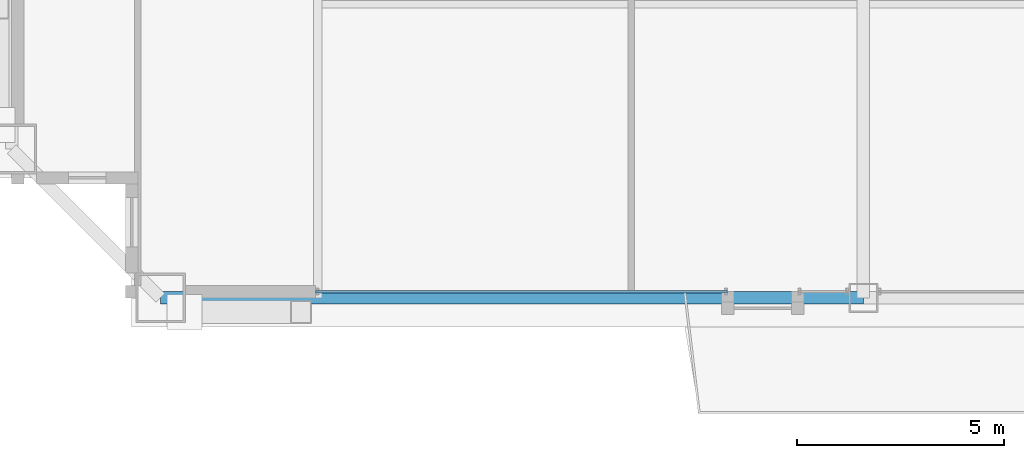
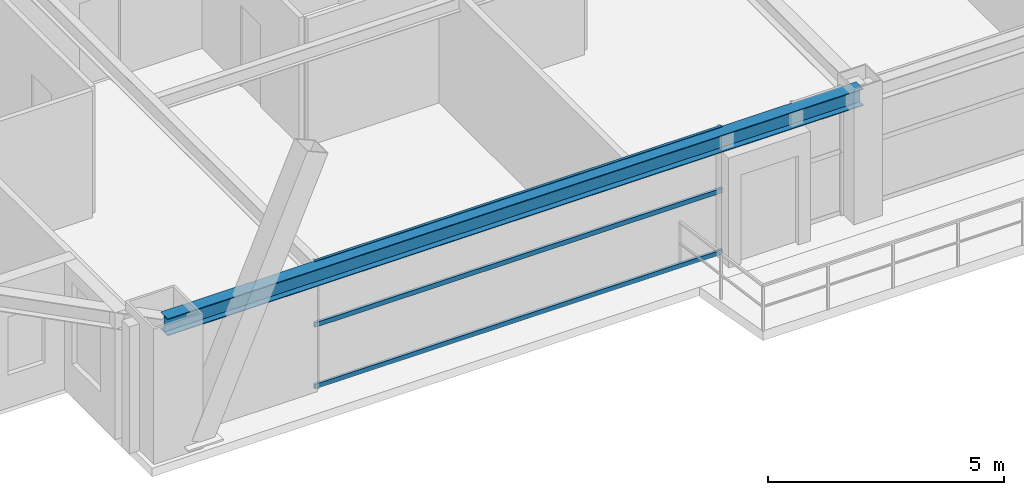
# One storey, part 5 of 35: 3 members, 1 beam, 1 element without a shape of its own.
"""IFC4 building model written with IfcOpenShell, lengths in metres."""

from ifc_helpers import new_model, si_unit, direction, frame, origin, origin_2d, place, context, subcontext, project, spatial, hollow_rectangle, i_section, extrude, source, transform, mapped, material, layer, layer_set, material_profile, profile_set, type_object, element, aggregate, save


model = new_model("IFC4")

# Units and contexts
model_context = context("Model", 3, precision=1e-05, world=origin(), true_north=direction((0.0, 1.0)))
body_context = subcontext(model_context, "Body", "Model", "MODEL_VIEW")
ifc_project = project(units=[si_unit("LENGTHUNIT", "METRE"), si_unit("AREAUNIT", "SQUARE_METRE"), si_unit("VOLUMEUNIT", "CUBIC_METRE"), si_unit("PLANEANGLEUNIT", "RADIAN"), si_unit("MASSUNIT", "GRAM", prefix="KILO"), si_unit("THERMODYNAMICTEMPERATUREUNIT", "KELVIN"), si_unit("POWERUNIT", "WATT")], contexts=[model_context])

# Site, building, storey
site_placement = place(None, origin())
site = spatial("IfcSite", under=ifc_project, at=site_placement, CompositionType="ELEMENT")
building_placement = place(site_placement, origin())
building = spatial("IfcBuilding", under=site, at=building_placement, Name="Yuzanri Waterfront Tower", CompositionType="ELEMENT")
storey_placement = place(building_placement, frame((0.0, 0.0, 271.60009765625)))
storey = spatial("IfcBuildingStorey", under=building, at=storey_placement, Name="L72", CompositionType="ELEMENT", Elevation=271.60009765625)

# Beam
ifc_material_1 = material(Name="Steel Q355B", Category="steel")
ifc_material_profile_1 = material_profile(ifc_material_1, i_section(OverallWidth=0.300048828125, OverallDepth=0.43994140625, WebThickness=0.010986328125, FlangeThickness=0.01806640625, at=origin_2d()), Name="HM 440x300x11x18")
ifc_profile_set_1 = profile_set([ifc_material_profile_1], Name="Steel Q355B")
beam_type = type_object("IfcBeamType", Name="Perimeter Spandrel Q355B HM 440x300", PredefinedType="SPANDREL", material=ifc_profile_set_1)
shared_shape_1 = source(origin(), body_context, "Body", "SweptSolid", [
    extrude(i_section(OverallWidth=0.300048828125, OverallDepth=0.43994140625, WebThickness=0.010986328125, FlangeThickness=0.01806640625, at=origin_2d()), origin(), (0.0, 0.0, 1.0), 17.0),
])
beam_placement = place(storey_placement, frame((20.0, 5.199951171875, 3.059814453125), z_axis=(1.0, 0.0, 0.0), x_axis=(0.0, 1.0, 0.0)))
element("IfcBeam", 1, at=beam_placement, inside=storey, type_object=beam_type, Name="L72 Perimeter Spandrel S1-S2", PredefinedType="SPANDREL", context=body_context, shape_type="MappedRepresentation", body=[
    mapped(shared_shape_1, transform((0.0, 0.0, 0.0), scale=1.0)),
])

# Curtain wall, members
ifc_material_2 = material(Name="Anodized Architectural Bronze", Category="metal")
ifc_layer = layer(ifc_material_2, 0.159912109375)
ifc_layer_set = layer_set([ifc_layer], Name="Anodized Architectural Bronze")
curtain_wall_type = type_object("IfcCurtainWallType", Name="Anodized Bronze Mid-Rise Residential Acoustic Unitized Curtain Wall 7200", PredefinedType="NOTDEFINED", material=ifc_layer_set)
curtain_wall_placement = place(storey_placement, origin())
curtain_wall = element("IfcCurtainWall", 2, at=curtain_wall_placement, inside=storey, type_object=curtain_wall_type, Name="L72 Curtain Wall CW-L72-SL1", PredefinedType="NOTDEFINED")
ifc_material_3 = material(Name="Anodized Architectural Bronze", Category="metal")
ifc_material_profile_2 = material_profile(ifc_material_3, hollow_rectangle(XDim=0.06494140625, YDim=0.1201171875, WallThickness=0.00341796875, at=origin_2d()), Name="CWT 65x120")
ifc_profile_set_2 = profile_set([ifc_material_profile_2], Name="Anodized Architectural Bronze")
member_type = type_object("IfcMemberType", Name="Anodized Bronze Secondary Curtain-Wall Transom 65x120", PredefinedType="USERDEFINED", material=ifc_profile_set_2)
shared_shape_2 = source(origin(), body_context, "Body", "SweptSolid", [
    extrude(hollow_rectangle(XDim=0.06494140625, YDim=0.1201171875, WallThickness=0.00341796875, at=origin_2d()), origin(), (0.0, 0.0, 1.0), 9.964111328125),
])
member_1_placement = place(storey_placement, frame((23.75, 5.35009765625, 0.0498046875), z_axis=(1.0, 0.0, 0.0), x_axis=(0.0, 1.0, 0.0)))
member_1 = element("IfcMember", 3, at=member_1_placement, type_object=member_type, Name="CW-L72-SL1 Transom 1", ObjectType="TRANSOM", PredefinedType="USERDEFINED", context=body_context, shape_type="MappedRepresentation", body=[
    mapped(shared_shape_2, transform((0.0, 0.0, 0.0), scale=1.0)),
])
member_2_placement = place(storey_placement, frame((23.75, 5.35009765625, 1.639892578125), z_axis=(1.0, 0.0, 0.0), x_axis=(0.0, 1.0, 0.0)))
member_2 = element("IfcMember", 4, at=member_2_placement, type_object=member_type, Name="CW-L72-SL1 Transom 2", ObjectType="TRANSOM", PredefinedType="USERDEFINED", context=body_context, shape_type="MappedRepresentation", body=[
    mapped(shared_shape_2, transform((0.0, 0.0, 0.0), scale=1.0)),
])
member_3_placement = place(storey_placement, frame((23.75, 5.35009765625, 3.22998046875), z_axis=(1.0, 0.0, 0.0), x_axis=(0.0, 1.0, 0.0)))
member_3 = element("IfcMember", 5, at=member_3_placement, type_object=member_type, Name="CW-L72-SL1 Transom 3", ObjectType="TRANSOM", PredefinedType="USERDEFINED", context=body_context, shape_type="MappedRepresentation", body=[
    mapped(shared_shape_2, transform((0.0, 0.0, 0.0), scale=1.0)),
])
aggregate(curtain_wall, [member_1, member_2, member_3])

save(model, "model.ifc")
